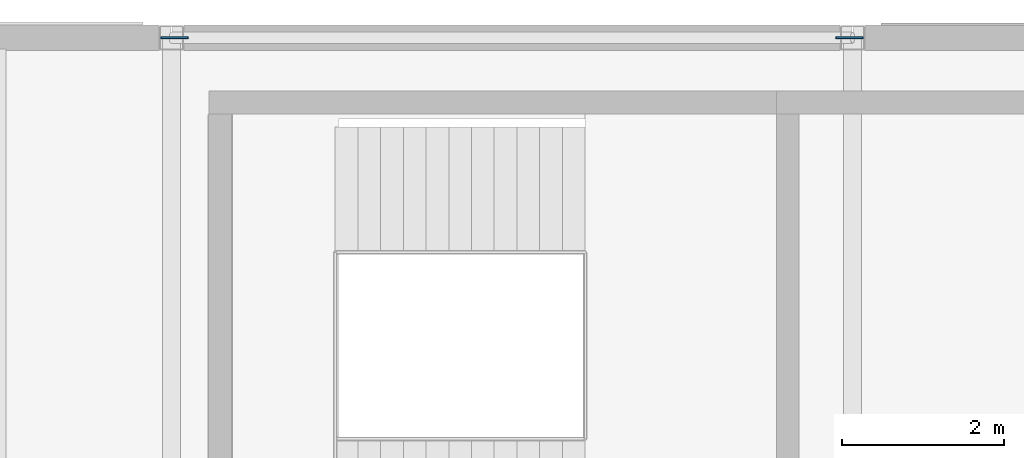
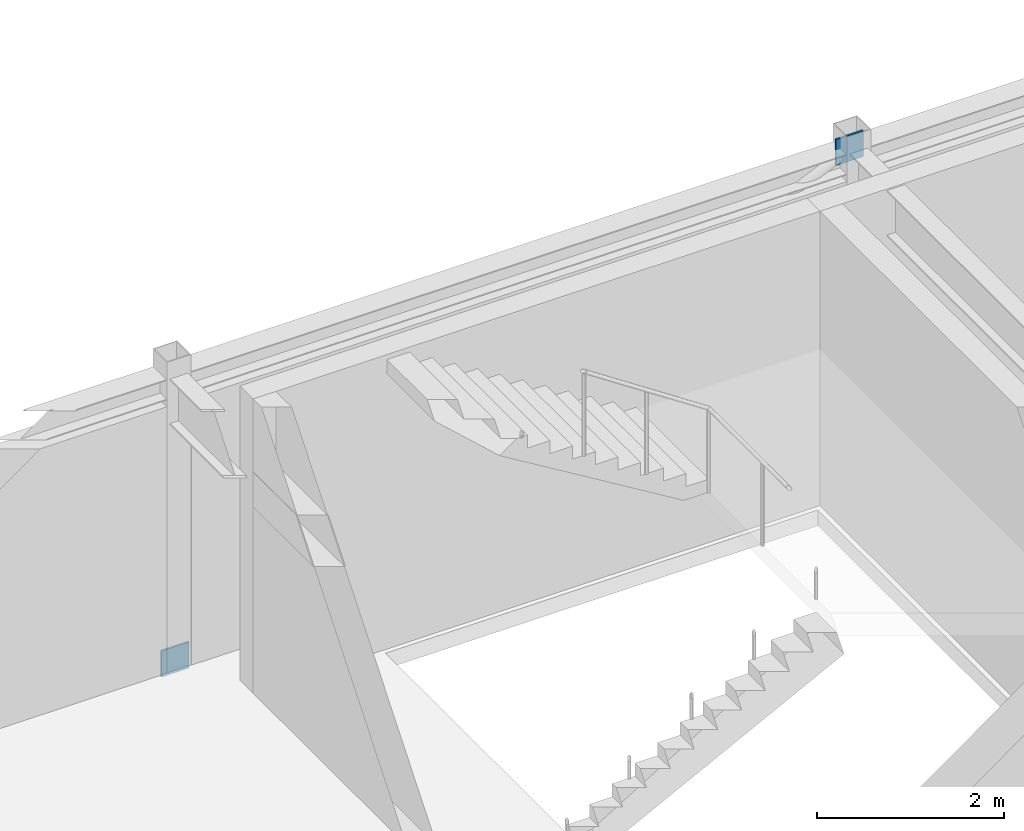
# One storey, part 150 of 165: 2 discrete accessories.
"""IFC4 building model written with IfcOpenShell, lengths in metres."""

from ifc_helpers import new_model, si_unit, direction, frame, origin, origin_2d, place, context, subcontext, project, spatial, rectangle, extrude, material, type_object, element, save


model = new_model("IFC4")

# Units and contexts
model_context = context("Model", 3, precision=1e-05, world=origin(), true_north=direction((0.0, 1.0)))
body_context = subcontext(model_context, "Body", "Model", "MODEL_VIEW")
ifc_project = project(units=[si_unit("LENGTHUNIT", "METRE"), si_unit("AREAUNIT", "SQUARE_METRE"), si_unit("VOLUMEUNIT", "CUBIC_METRE"), si_unit("PLANEANGLEUNIT", "RADIAN"), si_unit("MASSUNIT", "GRAM", prefix="KILO")], contexts=[model_context])

# Site, building, storey
site_placement = place(None, origin())
site = spatial("IfcSite", under=ifc_project, at=site_placement, CompositionType="ELEMENT")
building_placement = place(site_placement, origin())
building = spatial("IfcBuilding", under=site, at=building_placement, Name="Montecoro Central Library", CompositionType="ELEMENT")
storey_placement = place(building_placement, frame((0.0, 0.0, 5.10009765625)))
storey = spatial("IfcBuildingStorey", under=building, at=storey_placement, Name="L01", CompositionType="ELEMENT", Elevation=5.10009765625)

# Discrete accessories
ifc_material = material(Name="Steel S355", Category="steel")
discrete_accessory_type = type_object("IfcDiscreteAccessoryType", Name="GUSSET-PLT-01", PredefinedType="BRACKET", material=ifc_material)
for number, where, z_axis, x_axis, name in (
    (1, (74.8359375, 119.0, -0.14404296875), (0.0, 0.0, 1.0), (1.0, 0.0, 0.0), "V2-L01-BRN1-GPA"),
    (2, (83.1640625, 119.0, 3.61865234375), (0.0, 0.0, 1.0), (1.0, 0.0, 0.0), "V2-L01-BRN1-GPB"),
):
    element("IfcDiscreteAccessory", number, at=place(storey_placement, frame(where, z_axis=z_axis, x_axis=x_axis)), inside=storey, type_object=discrete_accessory_type, Name=name, PredefinedType="BRACKET", context=body_context, shape_type="SweptSolid", body=[
        extrude(rectangle(XDim=0.340087890625, YDim=0.02392578125, at=origin_2d()), origin(), (0.0, 0.0, 1.0), 0.340087890625),
    ])

save(model, "model.ifc")
